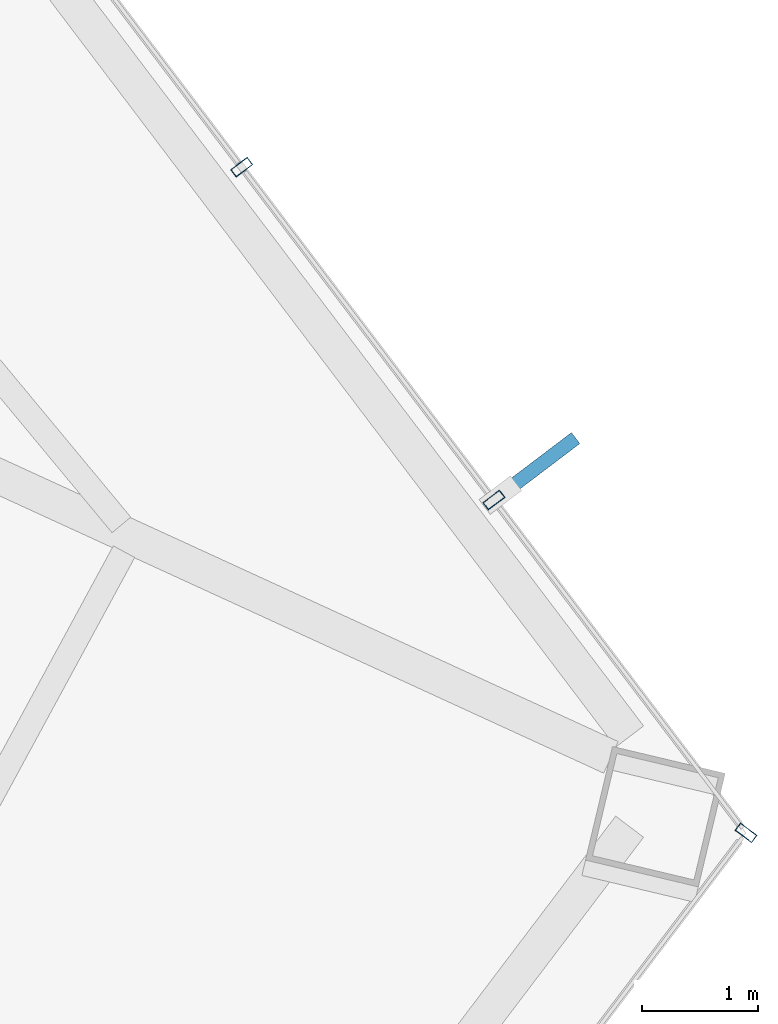
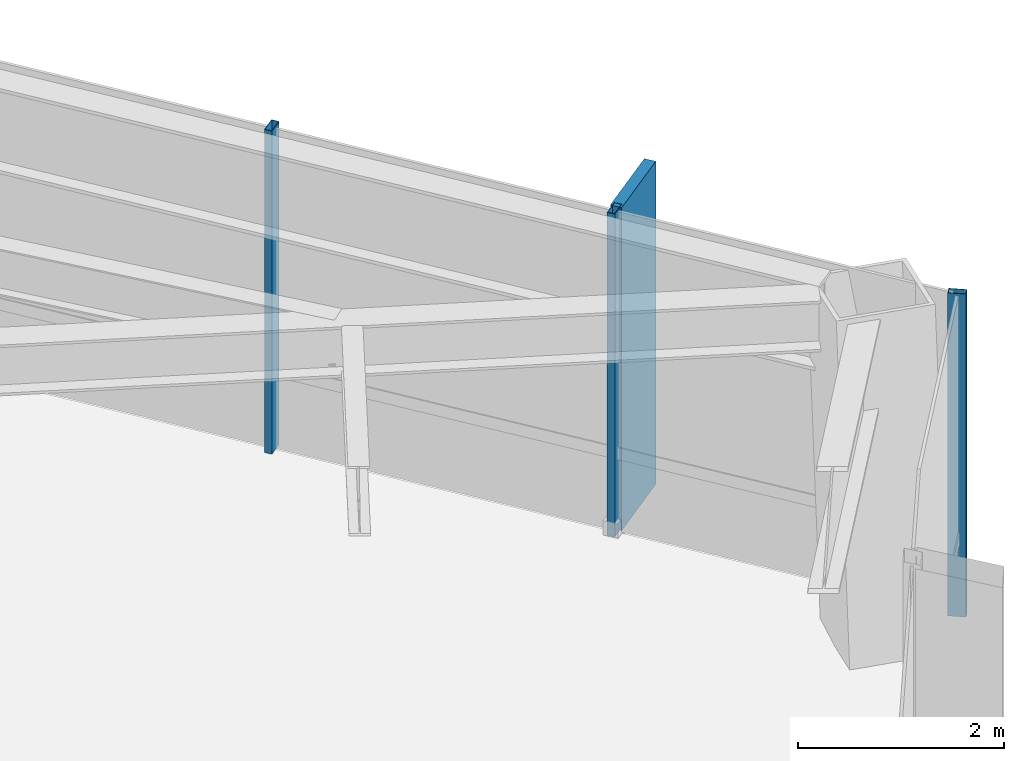
# One storey, part 20 of 26: 4 members, 2 elements without a shape of their own.
"""IFC4 building model written with IfcOpenShell, lengths in metres."""

from ifc_helpers import new_model, si_unit, direction, frame, origin, origin_2d, place, context, subcontext, project, spatial, rectangle, hollow_rectangle, extrude, material, layer, layer_set, material_profile, profile_set, type_object, element, aggregate, save


model = new_model("IFC4")

# Units and contexts
model_context = context("Model", 3, precision=1e-05, world=origin(), true_north=direction((0.0, 1.0)))
body_context = subcontext(model_context, "Body", "Model", "MODEL_VIEW")
ifc_project = project(units=[si_unit("LENGTHUNIT", "METRE"), si_unit("AREAUNIT", "SQUARE_METRE"), si_unit("VOLUMEUNIT", "CUBIC_METRE"), si_unit("PLANEANGLEUNIT", "RADIAN"), si_unit("MASSUNIT", "GRAM", prefix="KILO")], contexts=[model_context])

# Site, building, storey
site_placement = place(None, origin())
site = spatial("IfcSite", under=ifc_project, at=site_placement, CompositionType="ELEMENT")
building_placement = place(site_placement, origin())
building = spatial("IfcBuilding", under=site, at=building_placement, Name="Zarrinselat Tower", CompositionType="ELEMENT")
storey_placement = place(building_placement, frame((0.0, 0.0, 60.179931640625)))
storey = spatial("IfcBuildingStorey", under=building, at=storey_placement, Name="L14", CompositionType="ELEMENT", Elevation=60.179931640625)

# Curtain wall, member
ifc_material_1 = material(Name="Extruded Aluminium Alloy EN AW-6063 T6", Category="aluminium")
ifc_layer = layer(ifc_material_1, 0.18505859375)
ifc_layer_set = layer_set([ifc_layer], Name="Extruded Aluminium Alloy EN AW-6063 T6")
curtain_wall_type = type_object("IfcCurtainWallType", Name="CWS-OFF", PredefinedType="NOTDEFINED", material=ifc_layer_set)
curtain_wall_1_placement = place(storey_placement, origin())
curtain_wall_1 = element("IfcCurtainWall", 1, at=curtain_wall_1_placement, inside=storey, type_object=curtain_wall_type, Name="L14 Unitised Curtain Wall CW-L14-E05", PredefinedType="NOTDEFINED")
ifc_material_2 = material(Name="Extruded Aluminium Alloy EN AW-6063 T6", Category="aluminium")
ifc_material_profile_1 = material_profile(ifc_material_2, hollow_rectangle(XDim=0.080078125, YDim=0.179931640625, WallThickness=0.0048828125, at=origin_2d()), Name="RHS 180x80x5")
ifc_profile_set_1 = profile_set([ifc_material_profile_1], Name="Extruded Aluminium Alloy EN AW-6063 T6")
member_type_1 = type_object("IfcMemberType", Name="MEM-CW-MUL", PredefinedType="MULLION", material=ifc_profile_set_1)
member_1_placement = place(storey_placement, frame((61.77734375, 35.56591796875, 0.0), z_axis=(0.0, 0.0, 1.0), x_axis=(0.603860811653, 0.797089781737, 0.0)))
member_1 = element("IfcMember", 2, at=member_1_placement, type_object=member_type_1, Name="CW-L14-E05 Mullion 6", PredefinedType="MULLION", context=body_context, shape_type="SweptSolid", body=[
    extrude(hollow_rectangle(XDim=0.080078125, YDim=0.179931640625, WallThickness=0.0048828125, at=origin_2d()), origin(), (0.0, 0.0, 1.0), 3.820068359375),
])
aggregate(curtain_wall_1, [member_1])

# Curtain wall, members
curtain_wall_2_placement = place(storey_placement, origin())
curtain_wall_2 = element("IfcCurtainWall", 3, at=curtain_wall_2_placement, inside=storey, type_object=curtain_wall_type, Name="L14 Unitised Curtain Wall CW-L14-E06", PredefinedType="NOTDEFINED")
member_2_placement = place(storey_placement, frame((59.601318359375, 38.438232421875, 0.0), z_axis=(0.0, 0.0, 1.0), x_axis=(-0.603856726294, 0.797092876715, 0.0)))
member_2 = element("IfcMember", 4, at=member_2_placement, type_object=member_type_1, Name="CW-L14-E06 Mullion 1", PredefinedType="MULLION", context=body_context, shape_type="SweptSolid", body=[
    extrude(hollow_rectangle(XDim=0.080078125, YDim=0.179931640625, WallThickness=0.0048828125, at=origin_2d()), origin(), (0.0, 0.0, 1.0), 3.820068359375),
])
member_3_placement = place(storey_placement, frame((57.42529296875, 41.310791015625, 0.0), z_axis=(0.0, 0.0, 1.0), x_axis=(-0.603856726294, 0.797092876715, 0.0)))
member_3 = element("IfcMember", 5, at=member_3_placement, type_object=member_type_1, Name="CW-L14-E06 Mullion 2", PredefinedType="MULLION", context=body_context, shape_type="SweptSolid", body=[
    extrude(hollow_rectangle(XDim=0.080078125, YDim=0.179931640625, WallThickness=0.0048828125, at=origin_2d()), origin(), (0.0, 0.0, 1.0), 3.820068359375),
])
ifc_material_3 = material(Name="Honed Cream Travertine Stone", Category="masonry")
ifc_material_profile_2 = material_profile(ifc_material_3, rectangle(XDim=0.1201171875, YDim=0.85009765625, at=origin_2d()), Name="FIN 850x120")
ifc_profile_set_2 = profile_set([ifc_material_profile_2], Name="Honed Cream Travertine Stone")
member_type_2 = type_object("IfcMemberType", Name="MEM-STONE-FIN", PredefinedType="USERDEFINED", material=ifc_profile_set_2)
member_4_placement = place(storey_placement, frame((59.968017578125, 38.716064453125, 0.0), z_axis=(0.0, 0.0, 1.0), x_axis=(0.603856726294, -0.797092876715, 0.0)))
member_4 = element("IfcMember", 6, at=member_4_placement, type_object=member_type_2, Name="L14 Stone Shading Fin CW-L14-E06-01", ObjectType="FIN", PredefinedType="USERDEFINED", context=body_context, shape_type="SweptSolid", body=[
    extrude(rectangle(XDim=0.1201171875, YDim=0.85009765625, at=origin_2d()), origin(), (0.0, 0.0, 1.0), 3.820068359375),
])
aggregate(curtain_wall_2, [member_2, member_4, member_3])

save(model, "model.ifc")
